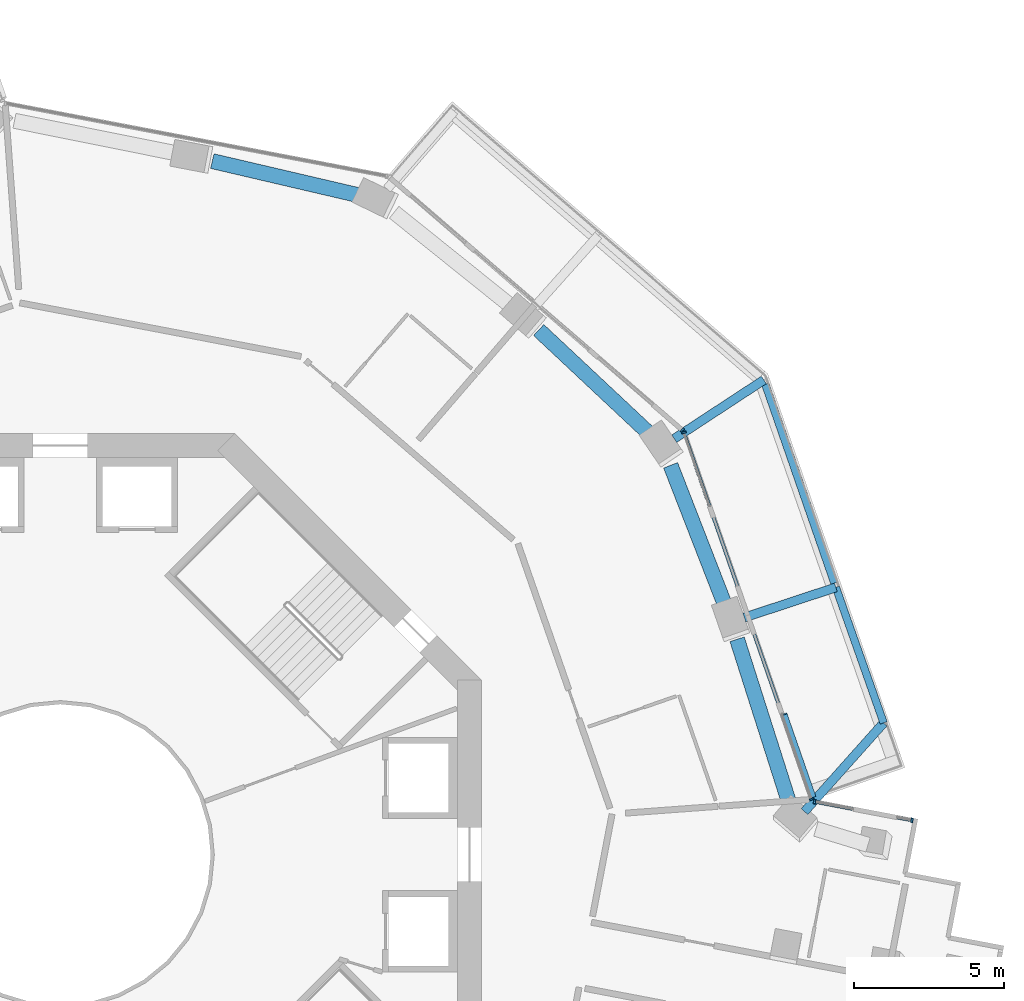
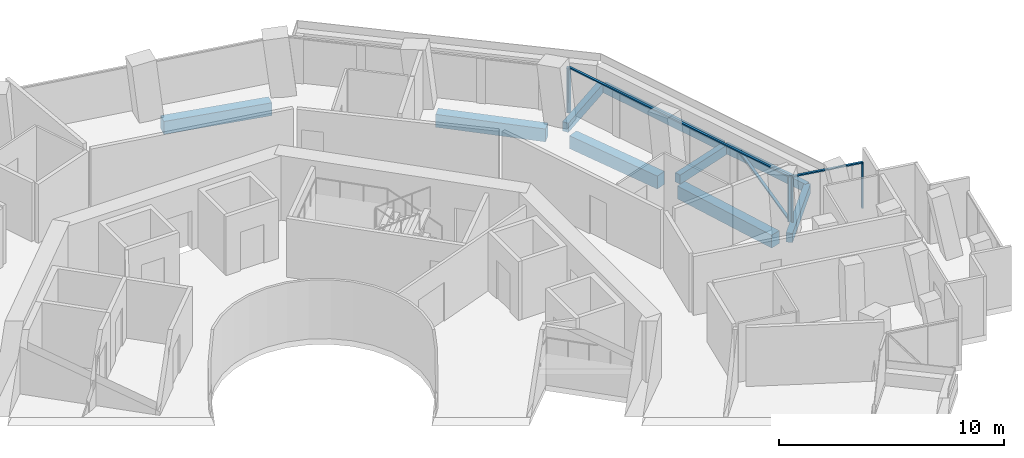
# One storey, part 9 of 23: 9 beams, 8 members, 3 elements without a shape of their own.
"""IFC4 building model written with IfcOpenShell, lengths in metres."""

from ifc_helpers import new_model, si_unit, direction, frame, origin, origin_2d, place, context, subcontext, project, spatial, rectangle, extrude, material, layer, layer_set, material_profile, profile_set, type_object, element, aggregate, save


model = new_model("IFC4")

# Units and contexts
model_context = context("Model", 3, precision=1e-05, world=origin(), true_north=direction((0.0, 1.0)))
body_context = subcontext(model_context, "Body", "Model", "MODEL_VIEW")
ifc_project = project(units=[si_unit("LENGTHUNIT", "METRE"), si_unit("AREAUNIT", "SQUARE_METRE"), si_unit("VOLUMEUNIT", "CUBIC_METRE"), si_unit("PLANEANGLEUNIT", "RADIAN"), si_unit("MASSUNIT", "GRAM", prefix="KILO")], contexts=[model_context])

# Site, building, storey
site_placement = place(None, origin())
site = spatial("IfcSite", under=ifc_project, at=site_placement, CompositionType="ELEMENT")
building_placement = place(site_placement, origin())
building = spatial("IfcBuilding", under=site, at=building_placement, Name="Verdalira Terraces Hotel", CompositionType="ELEMENT")
storey_placement = place(building_placement, frame((0.0, 0.0, 111.5)))
storey = spatial("IfcBuildingStorey", under=building, at=storey_placement, Name="L26", CompositionType="ELEMENT", Elevation=111.5)

# Beams
ifc_material_1 = material(Name="Concrete C40", Category="concrete")
ifc_material_profile_1 = material_profile(ifc_material_1, rectangle(XDim=0.300049, YDim=0.5, at=origin_2d()), Name="RC 300X500")
ifc_profile_set_1 = profile_set([ifc_material_profile_1], Name="Concrete C40")
beam_type_1 = type_object("IfcBeamType", Name="Balcony cantilever beam RC 300X500 C40", PredefinedType="BEAM", material=ifc_profile_set_1)
beam_1_placement = place(storey_placement, frame((24.72876, 1.429932, -0.560059), z_axis=(0.665985062, 0.745965078, 0.0), x_axis=(-0.745965078, 0.665985062, 0.0)))
element("IfcBeam", 1, at=beam_1_placement, inside=storey, type_object=beam_type_1, Name="Balcony cantilever beam R39-1", PredefinedType="BEAM", context=body_context, shape_type="SweptSolid", body=[
    extrude(rectangle(XDim=0.300049, YDim=0.5, at=origin_2d()), origin(), (0.0, 0.0, 1.0), 3.949951),
])
beam_2_placement = place(storey_placement, frame((22.731201, 7.878906, -0.560059), z_axis=(0.949745705, 0.313022516, 0.0), x_axis=(-0.313022516, 0.949745705, 0.0)))
element("IfcBeam", 2, at=beam_2_placement, inside=storey, type_object=beam_type_1, Name="Balcony cantilever beam R39-2", PredefinedType="BEAM", context=body_context, shape_type="SweptSolid", body=[
    extrude(rectangle(XDim=0.300049, YDim=0.5, at=origin_2d()), origin(), (0.0, 0.0, 1.0), 3.200928),
])
beam_3_placement = place(storey_placement, frame((20.401123, 13.821777, -0.560059), z_axis=(0.836393891, 0.548128871, 0.0), x_axis=(-0.548128871, 0.836393891, 0.0)))
element("IfcBeam", 3, at=beam_3_placement, inside=storey, type_object=beam_type_1, Name="Balcony cantilever beam R39-3", PredefinedType="BEAM", context=body_context, shape_type="SweptSolid", body=[
    extrude(rectangle(XDim=0.300049, YDim=0.5, at=origin_2d()), origin(), (0.0, 0.0, 1.0), 3.558838),
])
ifc_material_2 = material(Name="Concrete C40", Category="concrete")
ifc_material_profile_2 = material_profile(ifc_material_2, rectangle(XDim=0.25, YDim=0.449951, at=origin_2d()), Name="RC 250X450")
ifc_profile_set_2 = profile_set([ifc_material_profile_2], Name="Concrete C40")
beam_type_2 = type_object("IfcBeamType", Name="Balcony edge beam RC 250X450 C40", PredefinedType="BEAM", material=ifc_profile_set_2)
beam_4_placement = place(storey_placement, frame((27.359375, 4.376465, -0.534912), z_axis=(-0.332512615, 0.943098808, 0.0), x_axis=(-0.943098808, -0.332512615, 0.0)))
element("IfcBeam", 4, at=beam_4_placement, inside=storey, type_object=beam_type_2, Name="Balcony edge beam R39-1", PredefinedType="BEAM", context=body_context, shape_type="SweptSolid", body=[
    extrude(rectangle(XDim=0.25, YDim=0.449951, at=origin_2d()), origin(), (0.0, 0.0, 1.0), 4.776123),
])
beam_5_placement = place(storey_placement, frame((25.721924, 9.022705, -0.534912), z_axis=(-0.328073588, 0.944652169, 0.0), x_axis=(-0.944652169, -0.328073588, 0.0)))
element("IfcBeam", 5, at=beam_5_placement, inside=storey, type_object=beam_type_2, Name="Balcony edge beam R39-2", PredefinedType="BEAM", context=body_context, shape_type="SweptSolid", body=[
    extrude(rectangle(XDim=0.25, YDim=0.449951, at=origin_2d()), origin(), (0.0, 0.0, 1.0), 6.990723),
])

# Curtain wall, members
ifc_material_3 = material(Name="Clear glass", Category="glass")
ifc_layer_1 = layer(ifc_material_3, 0.14990234375)
ifc_layer_set_1 = layer_set([ifc_layer_1], Name="CW1 curtain wall")
curtain_wall_type_1 = type_object("IfcCurtainWallType", Name="CW1 curtain wall", PredefinedType="NOTDEFINED", material=ifc_layer_set_1)
curtain_wall_1_placement = place(storey_placement, origin())
curtain_wall_1 = element("IfcCurtainWall", 6, at=curtain_wall_1_placement, inside=storey, type_object=curtain_wall_type_1, Name="CW1 curtain wall L26 edge 39", PredefinedType="NOTDEFINED")
ifc_material_4 = material(Name="Terracotta frame", Category="masonry")
ifc_material_profile_3 = material_profile(ifc_material_4, rectangle(XDim=0.060059, YDim=0.149902, at=origin_2d()), Name="MU 60x150")
ifc_profile_set_3 = profile_set([ifc_material_profile_3], Name="Terracotta frame")
member_type_1 = type_object("IfcMemberType", Name="CW1 mullion 60x150", PredefinedType="MULLION", material=ifc_profile_set_3)
member_1_placement = place(storey_placement, frame((24.96582, 1.843018, 0.0), z_axis=(0.0, 0.0, 1.0), x_axis=(-0.328866647, 0.94437637, 0.0)))
member_1 = element("IfcMember", 7, at=member_1_placement, type_object=member_type_1, Name="CW1 mullion", PredefinedType="MULLION", context=body_context, shape_type="SweptSolid", body=[
    extrude(rectangle(XDim=0.060059, YDim=0.149902, at=origin_2d()), origin(), (0.0, 0.0, 1.0), 2.425049),
])
member_2_placement = place(storey_placement, frame((20.723633, 14.025146, 0.0), z_axis=(0.0, 0.0, 1.0), x_axis=(-0.328866647, 0.94437637, 0.0)))
member_2 = element("IfcMember", 8, at=member_2_placement, type_object=member_type_1, Name="CW1 mullion", PredefinedType="MULLION", context=body_context, shape_type="SweptSolid", body=[
    extrude(rectangle(XDim=0.060059, YDim=0.149902, at=origin_2d()), origin(), (0.0, 0.0, 1.0), 2.425049),
])

# Curtain wall, member
curtain_wall_2_placement = place(storey_placement, origin())
curtain_wall_2 = element("IfcCurtainWall", 9, at=curtain_wall_2_placement, inside=storey, type_object=curtain_wall_type_1, Name="CW1 curtain wall L26 edge 40", PredefinedType="NOTDEFINED")
member_3_placement = place(storey_placement, frame((20.669189, 14.105225, 0.0), z_axis=(0.0, 0.0, 1.0), x_axis=(-0.756995056, 0.653420604, 0.0)))
member_3 = element("IfcMember", 10, at=member_3_placement, type_object=member_type_1, Name="CW1 mullion", PredefinedType="MULLION", context=body_context, shape_type="SweptSolid", body=[
    extrude(rectangle(XDim=0.060059, YDim=0.149902, at=origin_2d()), origin(), (0.0, 0.0, 1.0), 2.425049),
])
aggregate(curtain_wall_2, [member_3])

# Member
ifc_material_5 = material(Name="Terracotta frame", Category="masonry")
ifc_material_profile_4 = material_profile(ifc_material_5, rectangle(XDim=0.110107, YDim=0.064941, at=origin_2d()), Name="TR 65x110")
ifc_profile_set_4 = profile_set([ifc_material_profile_4], Name="Terracotta frame")
member_type_2 = type_object("IfcMemberType", Name="CW1 transom 65x110", PredefinedType="USERDEFINED", material=ifc_profile_set_4)
member_4_placement = place(storey_placement, frame((24.97583, 1.814697, 2.45752), z_axis=(-0.328864748, 0.944377031, 0.0), x_axis=(-0.944377031, -0.328864748, 0.0)))
member_4 = element("IfcMember", 11, at=member_4_placement, type_object=member_type_2, Name="CW1 transom", ObjectType="TRANSOM", PredefinedType="USERDEFINED", context=body_context, shape_type="SweptSolid", body=[
    extrude(rectangle(XDim=0.110107, YDim=0.064941, at=origin_2d()), origin(), (0.0, 0.0, 1.0), 12.959717),
])

# Curtain wall, members
ifc_material_6 = material(Name="Clear glass", Category="glass")
ifc_layer_2 = layer(ifc_material_6, 0.14990234375)
ifc_layer_set_2 = layer_set([ifc_layer_2], Name="CW2 curtain wall")
curtain_wall_type_2 = type_object("IfcCurtainWallType", Name="CW2 curtain wall", PredefinedType="NOTDEFINED", material=ifc_layer_set_2)
curtain_wall_3_placement = place(storey_placement, origin())
curtain_wall_3 = element("IfcCurtainWall", 12, at=curtain_wall_3_placement, inside=storey, type_object=curtain_wall_type_2, Name="CW2 curtain wall L26 edge 38", PredefinedType="NOTDEFINED")
ifc_material_7 = material(Name="Terracotta frame", Category="masonry")
ifc_material_profile_5 = material_profile(ifc_material_7, rectangle(XDim=0.070068, YDim=0.149902, at=origin_2d()), Name="MU 70x150")
ifc_profile_set_5 = profile_set([ifc_material_profile_5], Name="Terracotta frame")
member_type_3 = type_object("IfcMemberType", Name="CW2 mullion 70x150", PredefinedType="MULLION", material=ifc_profile_set_5)
member_5_placement = place(storey_placement, frame((28.301514, 1.14209, 0.0), z_axis=(0.0, 0.0, 1.0), x_axis=(-0.982287251, 0.187381315, 0.0)))
member_5 = element("IfcMember", 13, at=member_5_placement, type_object=member_type_3, Name="CW2 mullion", PredefinedType="MULLION", context=body_context, shape_type="SweptSolid", body=[
    extrude(rectangle(XDim=0.070068, YDim=0.149902, at=origin_2d()), origin(), (0.0, 0.0, 1.0), 2.425049),
])
member_6_placement = place(storey_placement, frame((25.066895, 1.759033, 0.0), z_axis=(0.0, 0.0, 1.0), x_axis=(-0.982287251, 0.187381315, 0.0)))
member_6 = element("IfcMember", 14, at=member_6_placement, type_object=member_type_3, Name="CW2 mullion", PredefinedType="MULLION", context=body_context, shape_type="SweptSolid", body=[
    extrude(rectangle(XDim=0.070068, YDim=0.149902, at=origin_2d()), origin(), (0.0, 0.0, 1.0), 2.425049),
])
ifc_material_8 = material(Name="Terracotta frame", Category="masonry")
ifc_material_profile_6 = material_profile(ifc_material_8, rectangle(XDim=0.11499, YDim=0.064941, at=origin_2d()), Name="TR 65x115")
ifc_profile_set_6 = profile_set([ifc_material_profile_6], Name="Terracotta frame")
member_type_4 = type_object("IfcMemberType", Name="CW2 transom 65x115", PredefinedType="USERDEFINED", material=ifc_profile_set_6)
member_7_placement = place(storey_placement, frame((28.335938, 1.135498, 2.45752), z_axis=(-0.982289606, 0.187368966, 0.0), x_axis=(-0.187368966, -0.982289606, 0.0)))
member_7 = element("IfcMember", 15, at=member_7_placement, type_object=member_type_4, Name="CW2 transom", ObjectType="TRANSOM", PredefinedType="USERDEFINED", context=body_context, shape_type="SweptSolid", body=[
    extrude(rectangle(XDim=0.11499, YDim=0.064941, at=origin_2d()), origin(), (0.0, 0.0, 1.0), 3.363037),
])
aggregate(curtain_wall_3, [member_5, member_6, member_7])

# Member
ifc_material_9 = material(Name="Terracotta frame", Category="masonry")
ifc_material_profile_7 = material_profile(ifc_material_9, rectangle(XDim=0.149902, YDim=0.060059, at=origin_2d()), Name="GB 60x150")
ifc_profile_set_7 = profile_set([ifc_material_profile_7], Name="Terracotta frame")
member_type_5 = type_object("IfcMemberType", Name="Diagonal glazing bar 60x150", PredefinedType="USERDEFINED", material=ifc_profile_set_7)
member_8_placement = place(storey_placement, frame((25.030273, 1.928955, 0.024414), z_axis=(-0.254556331, 0.731011882, 0.633105601), x_axis=(-0.944379957, -0.328856347, 0.0)))
member_8 = element("IfcMember", 16, at=member_8_placement, type_object=member_type_5, Name="Diagonal glazing bar", ObjectType="GLAZING BAR", PredefinedType="USERDEFINED", context=body_context, shape_type="SweptSolid", body=[
    extrude(rectangle(XDim=0.149902, YDim=0.060059, at=origin_2d()), origin(), (0.0, 0.0, 1.0), 3.75293),
])

aggregate(curtain_wall_1, [member_1, member_2, member_4, member_8])

# Beams
ifc_material_10 = material(Name="Concrete C70", Category="concrete")
ifc_material_profile_8 = material_profile(ifc_material_10, rectangle(XDim=0.5, YDim=0.699951, at=origin_2d()), Name="RC 500X700")
ifc_profile_set_8 = profile_set([ifc_material_profile_8], Name="Concrete C70")
beam_type_3 = type_object("IfcBeamType", Name="Spandrel beam RC 500X700 C70", PredefinedType="SPANDREL", material=ifc_profile_set_8)
beam_6_placement = place(storey_placement, frame((24.210449, 1.752197, -0.659912), z_axis=(-0.303402629, 0.952862448, 0.0), x_axis=(-0.952862448, -0.303402629, 0.0)))
element("IfcBeam", 17, at=beam_6_placement, inside=storey, type_object=beam_type_3, Name="Spandrel beam B24", PredefinedType="SPANDREL", context=body_context, shape_type="SweptSolid", body=[
    extrude(rectangle(XDim=0.5, YDim=0.699951, at=origin_2d()), origin(), (0.0, 0.0, 1.0), 5.672119),
])
beam_7_placement = place(storey_placement, frame((22.096924, 8.266113, -0.659912), z_axis=(-0.362488571, 0.931988217, 0.0), x_axis=(-0.931988217, -0.362488571, 0.0)))
element("IfcBeam", 18, at=beam_7_placement, inside=storey, type_object=beam_type_3, Name="Spandrel beam B25", PredefinedType="SPANDREL", context=body_context, shape_type="SweptSolid", body=[
    extrude(rectangle(XDim=0.5, YDim=0.699951, at=origin_2d()), origin(), (0.0, 0.0, 1.0), 5.012207),
])
for number, where, z_axis, x_axis, name in (
    (19, (19.557129, 14.003418, -0.659912), (-0.729733, 0.68373222, 0.0), (-0.68373222, -0.729733, 0.0), "Spandrel beam B26"),
    (20, (9.935303, 21.906006, -0.659912), (-0.973841928, 0.227226538, 0.0), (-0.227226538, -0.973841928, 0.0), "Spandrel beam B28"),
):
    element("IfcBeam", number, at=place(storey_placement, frame(where, z_axis=z_axis, x_axis=x_axis)), inside=storey, type_object=beam_type_3, Name=name, PredefinedType="SPANDREL", context=body_context, shape_type="SweptSolid", body=[
        extrude(rectangle(XDim=0.5, YDim=0.699951, at=origin_2d()), origin(), (0.0, 0.0, 1.0), 5.015381),
    ])

save(model, "model.ifc")
